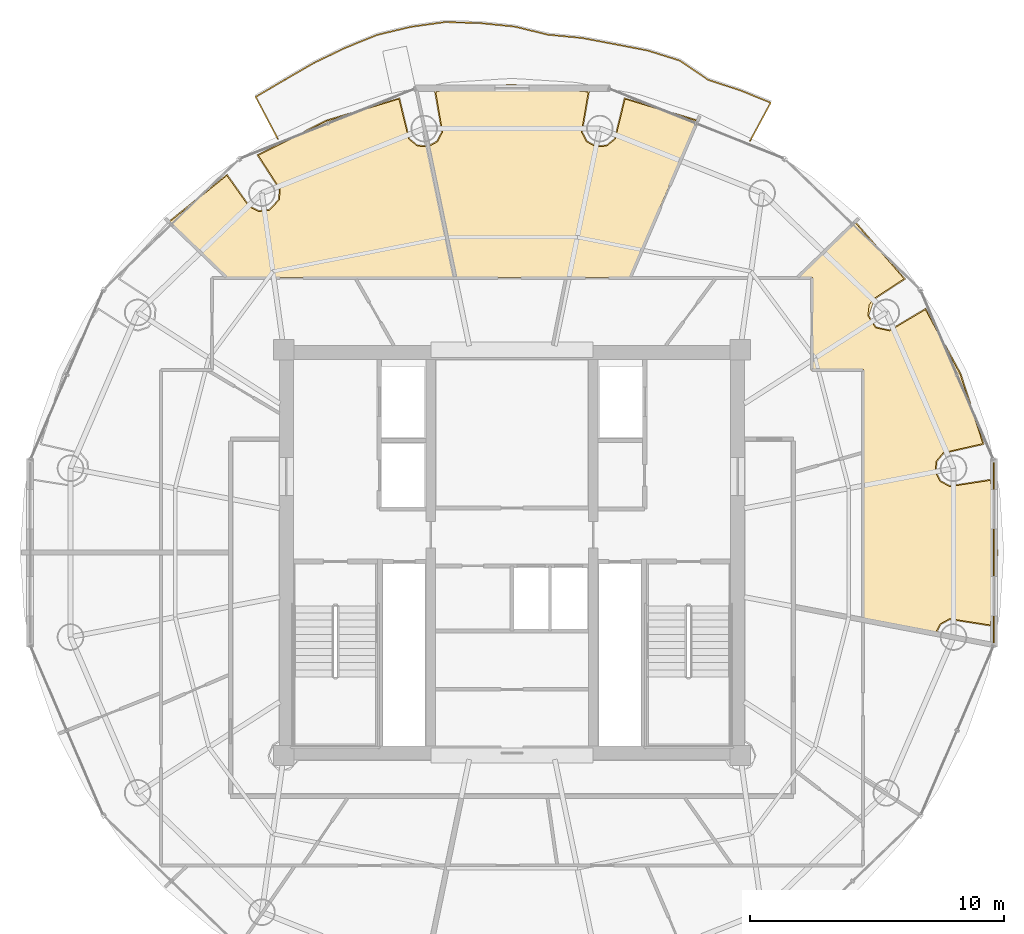
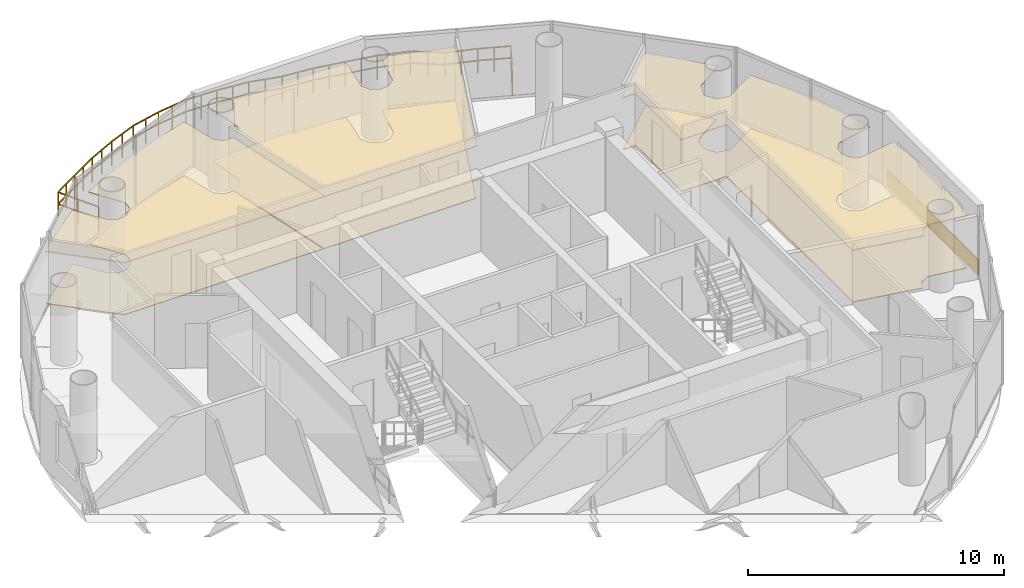
# One storey, part 23 of 23: 7 coverings, 1 railing.
"""IFC4 building model written with IfcOpenShell, lengths in metres."""

from ifc_helpers import new_model, si_unit, direction, frame, origin, origin_2d, place, context, subcontext, project, spatial, polyline, rectangle, outline, extrude, source, transform, mapped, material, layer, layer_set, type_object, element, save


model = new_model("IFC4")

# Units and contexts
model_context = context("Model", 3, precision=1e-05, world=origin(), true_north=direction((-0.2419218956, 0.970295726276)))
body_context = subcontext(model_context, "Body", "Model", "MODEL_VIEW")
ifc_project = project(units=[si_unit("LENGTHUNIT", "METRE"), si_unit("AREAUNIT", "SQUARE_METRE"), si_unit("VOLUMEUNIT", "CUBIC_METRE"), si_unit("PLANEANGLEUNIT", "RADIAN"), si_unit("MASSUNIT", "GRAM", prefix="KILO")], contexts=[model_context])

# Site, building, storey
site_placement = place(None, origin())
site = spatial("IfcSite", under=ifc_project, at=site_placement, CompositionType="ELEMENT")
building_placement = place(site_placement, origin())
building = spatial("IfcBuilding", under=site, at=building_placement, Name="Cobrevalo Terracotta Tower", CompositionType="ELEMENT")
storey_placement = place(building_placement, frame((0.0, 0.0, 259.449951171875)))
storey = spatial("IfcBuildingStorey", under=building, at=storey_placement, Name="L68", CompositionType="ELEMENT", Elevation=259.449951171875)

# Railing
ifc_material_1 = material(Name="Laminated structural glass and stainless steel", Category="steel")
railing_type = type_object("IfcRailingType", Name="Balcony lobe structural glass & terracotta-cap balustrade 1180 mm", PredefinedType="BALUSTRADE", material=ifc_material_1)
railing_placement = place(storey_placement, frame((47.392333984375, 43.04150390625, 0.0)))
element("IfcRailing", 1, at=railing_placement, inside=storey, type_object=railing_type, Name="L68 spiralling balcony lobe balustrade 1", PredefinedType="BALUSTRADE", context=body_context, shape_type="SweptSolid", body=[
    extrude(rectangle(XDim=0.048095703125, YDim=0.048095703125, at=origin_2d()), frame((0.0, 0.0, 1.15576171875), z_axis=(0.473391793007, 0.880851979798, 0.0), x_axis=(-0.880851979798, 0.473391793007, 0.0)), (0.0, 0.0, 1.0), 1.70703125),
    extrude(rectangle(XDim=0.048095703125, YDim=0.048095703125, at=origin_2d()), frame((0.0, 0.0, 0.58984375), z_axis=(0.473391793007, 0.880851979798, 0.0), x_axis=(-0.880851979798, 0.473391793007, 0.0)), (0.0, 0.0, 1.0), 1.70703125),
    extrude(rectangle(XDim=0.048095703125, YDim=0.048095703125, at=origin_2d()), frame((0.80810546875, 1.503662109375, 1.15576171875), z_axis=(-0.927447710254, 0.373952864335, 0.0), x_axis=(-0.373952864335, -0.927447710254, 0.0)), (0.0, 0.0, 1.0), 1.3134765625),
    extrude(rectangle(XDim=0.048095703125, YDim=0.048095703125, at=origin_2d()), frame((0.80810546875, 1.503662109375, 0.58984375), z_axis=(-0.927447710254, 0.373952864335, 0.0), x_axis=(-0.373952864335, -0.927447710254, 0.0)), (0.0, 0.0, 1.0), 1.3134765625),
    extrude(rectangle(XDim=0.048095703125, YDim=0.048095703125, at=origin_2d()), frame((-0.41015625, 1.994873046875, 1.15576171875), z_axis=(-0.950719061288, 0.310053651008, 0.0), x_axis=(-0.310053651008, -0.950719061288, 0.0)), (0.0, 0.0, 1.0), 1.306396484375),
    extrude(rectangle(XDim=0.048095703125, YDim=0.048095703125, at=origin_2d()), frame((-0.41015625, 1.994873046875, 0.58984375), z_axis=(-0.950719061288, 0.310053651008, 0.0), x_axis=(-0.310053651008, -0.950719061288, 0.0)), (0.0, 0.0, 1.0), 1.306396484375),
    extrude(rectangle(XDim=0.048095703125, YDim=0.048095703125, at=origin_2d()), frame((-1.652099609375, 2.39990234375, 1.15576171875), z_axis=(-0.827765122735, 0.561074773612, 0.0), x_axis=(-0.561074773612, -0.827765122735, 0.0)), (0.0, 0.0, 1.0), 1.357666015625),
    extrude(rectangle(XDim=0.048095703125, YDim=0.048095703125, at=origin_2d()), frame((-1.652099609375, 2.39990234375, 0.58984375), z_axis=(-0.827765122735, 0.561074773612, 0.0), x_axis=(-0.561074773612, -0.827765122735, 0.0)), (0.0, 0.0, 1.0), 1.357666015625),
    extrude(rectangle(XDim=0.048095703125, YDim=0.048095703125, at=origin_2d()), frame((-2.77587890625, 3.16162109375, 1.15576171875), z_axis=(-0.954384764987, 0.298579504254, 0.0), x_axis=(-0.298579504254, -0.954384764987, 0.0)), (0.0, 0.0, 1.0), 1.32373046875),
    extrude(rectangle(XDim=0.048095703125, YDim=0.048095703125, at=origin_2d()), frame((-2.77587890625, 3.16162109375, 0.58984375), z_axis=(-0.954384764987, 0.298579504254, 0.0), x_axis=(-0.298579504254, -0.954384764987, 0.0)), (0.0, 0.0, 1.0), 1.32373046875),
    extrude(rectangle(XDim=0.048095703125, YDim=0.048095703125, at=origin_2d()), frame((-4.039306640625, 3.556884765625, 1.15576171875), z_axis=(-0.981703375417, 0.19041660299, 0.0), x_axis=(-0.19041660299, -0.981703375417, 0.0)), (0.0, 0.0, 1.0), 1.326904296875),
    extrude(rectangle(XDim=0.048095703125, YDim=0.048095703125, at=origin_2d()), frame((-4.039306640625, 3.556884765625, 0.58984375), z_axis=(-0.981703375417, 0.19041660299, 0.0), x_axis=(-0.19041660299, -0.981703375417, 0.0)), (0.0, 0.0, 1.0), 1.326904296875),
    extrude(rectangle(XDim=0.048095703125, YDim=0.048095703125, at=origin_2d()), frame((-5.342041015625, 3.8095703125, 1.15576171875), z_axis=(-0.982719795737, 0.185099441024, 0.0), x_axis=(-0.185099441024, -0.982719795737, 0.0)), (0.0, 0.0, 1.0), 1.326904296875),
    extrude(rectangle(XDim=0.048095703125, YDim=0.048095703125, at=origin_2d()), frame((-5.342041015625, 3.8095703125, 0.58984375), z_axis=(-0.982719795737, 0.185099441024, 0.0), x_axis=(-0.185099441024, -0.982719795737, 0.0)), (0.0, 0.0, 1.0), 1.326904296875),
    extrude(rectangle(XDim=0.048095703125, YDim=0.048095703125, at=origin_2d()), frame((-6.64599609375, 4.05517578125, 1.15576171875), z_axis=(-0.995424167177, 0.095554839751, 0.0), x_axis=(-0.095554839751, -0.995424167177, 0.0)), (0.0, 0.0, 1.0), 1.32861328125),
    extrude(rectangle(XDim=0.048095703125, YDim=0.048095703125, at=origin_2d()), frame((-6.64599609375, 4.05517578125, 0.58984375), z_axis=(-0.995424167177, 0.095554839751, 0.0), x_axis=(-0.095554839751, -0.995424167177, 0.0)), (0.0, 0.0, 1.0), 1.32861328125),
    extrude(rectangle(XDim=0.048095703125, YDim=0.048095703125, at=origin_2d()), frame((-7.968505859375, 4.18212890625, 1.15576171875), z_axis=(-0.971965365021, 0.235124071928, 0.0), x_axis=(-0.235124071928, -0.971965365021, 0.0)), (0.0, 0.0, 1.0), 1.365478515625),
    extrude(rectangle(XDim=0.048095703125, YDim=0.048095703125, at=origin_2d()), frame((-7.968505859375, 4.18212890625, 0.58984375), z_axis=(-0.971965365021, 0.235124071928, 0.0), x_axis=(-0.235124071928, -0.971965365021, 0.0)), (0.0, 0.0, 1.0), 1.365478515625),
    extrude(rectangle(XDim=0.048095703125, YDim=0.048095703125, at=origin_2d()), frame((-9.295654296875, 4.503173828125, 1.15576171875), z_axis=(-0.994996258465, 0.099912189646, 0.0), x_axis=(-0.099912189646, -0.994996258465, 0.0)), (0.0, 0.0, 1.0), 1.361083984375),
    extrude(rectangle(XDim=0.048095703125, YDim=0.048095703125, at=origin_2d()), frame((-9.295654296875, 4.503173828125, 0.58984375), z_axis=(-0.994996258465, 0.099912189646, 0.0), x_axis=(-0.099912189646, -0.994996258465, 0.0)), (0.0, 0.0, 1.0), 1.361083984375),
    extrude(rectangle(XDim=0.048095703125, YDim=0.048095703125, at=origin_2d()), frame((-10.64990234375, 4.63916015625, 1.15576171875), z_axis=(-0.999497550392, 0.031696163187, 0.0), x_axis=(-0.031696163187, -0.999497550392, 0.0)), (0.0, 0.0, 1.0), 1.37109375),
    extrude(rectangle(XDim=0.048095703125, YDim=0.048095703125, at=origin_2d()), frame((-10.64990234375, 4.63916015625, 0.58984375), z_axis=(-0.999497550392, 0.031696163187, 0.0), x_axis=(-0.031696163187, -0.999497550392, 0.0)), (0.0, 0.0, 1.0), 1.37109375),
    extrude(rectangle(XDim=0.048095703125, YDim=0.048095703125, at=origin_2d()), frame((-12.020263671875, 4.6826171875, 1.15576171875), z_axis=(-0.990311254165, -0.138865474021, 0.0), x_axis=(0.138865474021, -0.990311254165, 0.0)), (0.0, 0.0, 1.0), 1.3642578125),
    extrude(rectangle(XDim=0.048095703125, YDim=0.048095703125, at=origin_2d()), frame((-12.020263671875, 4.6826171875, 0.58984375), z_axis=(-0.990311254165, -0.138865474021, 0.0), x_axis=(0.138865474021, -0.990311254165, 0.0)), (0.0, 0.0, 1.0), 1.3642578125),
    extrude(rectangle(XDim=0.048095703125, YDim=0.048095703125, at=origin_2d()), frame((-13.371337890625, 4.4931640625, 1.15576171875), z_axis=(-0.972915445397, -0.231161277269, 0.0), x_axis=(0.231161277269, -0.972915445397, 0.0)), (0.0, 0.0, 1.0), 1.365478515625),
    extrude(rectangle(XDim=0.048095703125, YDim=0.048095703125, at=origin_2d()), frame((-13.371337890625, 4.4931640625, 0.58984375), z_axis=(-0.972915445397, -0.231161277269, 0.0), x_axis=(0.231161277269, -0.972915445397, 0.0)), (0.0, 0.0, 1.0), 1.365478515625),
    extrude(rectangle(XDim=0.048095703125, YDim=0.048095703125, at=origin_2d()), frame((-14.699951171875, 4.177490234375, 1.15576171875), z_axis=(-0.926976435531, -0.375119564899, 0.0), x_axis=(0.375119564899, -0.926976435531, 0.0)), (0.0, 0.0, 1.0), 1.36474609375),
    extrude(rectangle(XDim=0.048095703125, YDim=0.048095703125, at=origin_2d()), frame((-14.699951171875, 4.177490234375, 0.58984375), z_axis=(-0.926976435531, -0.375119564899, 0.0), x_axis=(0.375119564899, -0.926976435531, 0.0)), (0.0, 0.0, 1.0), 1.36474609375),
    extrude(rectangle(XDim=0.048095703125, YDim=0.048095703125, at=origin_2d()), frame((-15.965087890625, 3.66552734375, 1.15576171875), z_axis=(-0.901194318303, -0.433415275063, 0.0), x_axis=(0.433415275063, -0.901194318303, 0.0)), (0.0, 0.0, 1.0), 1.35693359375),
    extrude(rectangle(XDim=0.048095703125, YDim=0.048095703125, at=origin_2d()), frame((-15.965087890625, 3.66552734375, 0.58984375), z_axis=(-0.901194318303, -0.433415275063, 0.0), x_axis=(0.433415275063, -0.901194318303, 0.0)), (0.0, 0.0, 1.0), 1.35693359375),
    extrude(rectangle(XDim=0.048095703125, YDim=0.048095703125, at=origin_2d()), frame((-17.18798828125, 3.077392578125, 1.15576171875), z_axis=(-0.866100933825, -0.499869155308, 0.0), x_axis=(0.499869155308, -0.866100933825, 0.0)), (0.0, 0.0, 1.0), 1.344482421875),
    extrude(rectangle(XDim=0.048095703125, YDim=0.048095703125, at=origin_2d()), frame((-17.18798828125, 3.077392578125, 0.58984375), z_axis=(-0.866100933825, -0.499869155308, 0.0), x_axis=(0.499869155308, -0.866100933825, 0.0)), (0.0, 0.0, 1.0), 1.344482421875),
    extrude(rectangle(XDim=0.048095703125, YDim=0.048095703125, at=origin_2d()), frame((-18.3525390625, 2.4052734375, 1.15576171875), z_axis=(-0.861580043035, -0.507621738545, 0.0), x_axis=(0.507621738545, -0.861580043035, 0.0)), (0.0, 0.0, 1.0), 1.329833984375),
    extrude(rectangle(XDim=0.048095703125, YDim=0.048095703125, at=origin_2d()), frame((-18.3525390625, 2.4052734375, 0.58984375), z_axis=(-0.861580043035, -0.507621738545, 0.0), x_axis=(0.507621738545, -0.861580043035, 0.0)), (0.0, 0.0, 1.0), 1.329833984375),
    extrude(rectangle(XDim=0.048095703125, YDim=0.048095703125, at=origin_2d()), frame((-19.498291015625, 1.730224609375, 1.15576171875), z_axis=(0.46554739259, -0.885022951823, 0.0), x_axis=(0.885022951823, 0.46554739259, 0.0)), (0.0, 0.0, 1.0), 1.87060546875),
    extrude(rectangle(XDim=0.048095703125, YDim=0.048095703125, at=origin_2d()), frame((-19.498291015625, 1.730224609375, 0.58984375), z_axis=(0.46554739259, -0.885022951823, 0.0), x_axis=(0.885022951823, 0.46554739259, 0.0)), (0.0, 0.0, 1.0), 1.87060546875),
    extrude(rectangle(XDim=0.0419921875, YDim=0.0419921875, at=origin_2d()), origin(), (0.0, 0.0, 1.0), 1.1318359375),
    extrude(rectangle(XDim=0.0419921875, YDim=0.0419921875, at=origin_2d()), frame((0.404052734375, 0.751953125, 0.0)), (0.0, 0.0, 1.0), 1.1318359375),
    extrude(rectangle(XDim=0.0419921875, YDim=0.0419921875, at=origin_2d()), frame((0.80810546875, 1.503662109375, 0.0)), (0.0, 0.0, 1.0), 1.1318359375),
    extrude(rectangle(XDim=0.0419921875, YDim=0.0419921875, at=origin_2d()), frame((0.198974609375, 1.749267578125, 0.0)), (0.0, 0.0, 1.0), 1.1318359375),
    extrude(rectangle(XDim=0.0419921875, YDim=0.0419921875, at=origin_2d()), frame((-0.41015625, 1.994873046875, 0.0)), (0.0, 0.0, 1.0), 1.1318359375),
    extrude(rectangle(XDim=0.0419921875, YDim=0.0419921875, at=origin_2d()), frame((-1.03125, 2.197265625, 0.0)), (0.0, 0.0, 1.0), 1.1318359375),
    extrude(rectangle(XDim=0.0419921875, YDim=0.0419921875, at=origin_2d()), frame((-1.652099609375, 2.39990234375, 0.0)), (0.0, 0.0, 1.0), 1.1318359375),
    extrude(rectangle(XDim=0.0419921875, YDim=0.0419921875, at=origin_2d()), frame((-2.2138671875, 2.78076171875, 0.0)), (0.0, 0.0, 1.0), 1.1318359375),
    extrude(rectangle(XDim=0.0419921875, YDim=0.0419921875, at=origin_2d()), frame((-2.77587890625, 3.16162109375, 0.0)), (0.0, 0.0, 1.0), 1.1318359375),
    extrude(rectangle(XDim=0.0419921875, YDim=0.0419921875, at=origin_2d()), frame((-3.40771484375, 3.359375, 0.0)), (0.0, 0.0, 1.0), 1.1318359375),
    extrude(rectangle(XDim=0.0419921875, YDim=0.0419921875, at=origin_2d()), frame((-4.039306640625, 3.556884765625, 0.0)), (0.0, 0.0, 1.0), 1.1318359375),
    extrude(rectangle(XDim=0.0419921875, YDim=0.0419921875, at=origin_2d()), frame((-4.690673828125, 3.68310546875, 0.0)), (0.0, 0.0, 1.0), 1.1318359375),
    extrude(rectangle(XDim=0.0419921875, YDim=0.0419921875, at=origin_2d()), frame((-5.342041015625, 3.8095703125, 0.0)), (0.0, 0.0, 1.0), 1.1318359375),
    extrude(rectangle(XDim=0.0419921875, YDim=0.0419921875, at=origin_2d()), frame((-5.994140625, 3.932373046875, 0.0)), (0.0, 0.0, 1.0), 1.1318359375),
    extrude(rectangle(XDim=0.0419921875, YDim=0.0419921875, at=origin_2d()), frame((-6.64599609375, 4.05517578125, 0.0)), (0.0, 0.0, 1.0), 1.1318359375),
    extrude(rectangle(XDim=0.0419921875, YDim=0.0419921875, at=origin_2d()), frame((-7.30712890625, 4.11865234375, 0.0)), (0.0, 0.0, 1.0), 1.1318359375),
    extrude(rectangle(XDim=0.0419921875, YDim=0.0419921875, at=origin_2d()), frame((-7.968505859375, 4.18212890625, 0.0)), (0.0, 0.0, 1.0), 1.1318359375),
    extrude(rectangle(XDim=0.0419921875, YDim=0.0419921875, at=origin_2d()), frame((-8.632080078125, 4.3427734375, 0.0)), (0.0, 0.0, 1.0), 1.1318359375),
    extrude(rectangle(XDim=0.0419921875, YDim=0.0419921875, at=origin_2d()), frame((-9.295654296875, 4.503173828125, 0.0)), (0.0, 0.0, 1.0), 1.1318359375),
    extrude(rectangle(XDim=0.0419921875, YDim=0.0419921875, at=origin_2d()), frame((-9.97265625, 4.5712890625, 0.0)), (0.0, 0.0, 1.0), 1.1318359375),
    extrude(rectangle(XDim=0.0419921875, YDim=0.0419921875, at=origin_2d()), frame((-10.64990234375, 4.63916015625, 0.0)), (0.0, 0.0, 1.0), 1.1318359375),
    extrude(rectangle(XDim=0.0419921875, YDim=0.0419921875, at=origin_2d()), frame((-11.3349609375, 4.660888671875, 0.0)), (0.0, 0.0, 1.0), 1.1318359375),
    extrude(rectangle(XDim=0.0419921875, YDim=0.0419921875, at=origin_2d()), frame((-12.020263671875, 4.6826171875, 0.0)), (0.0, 0.0, 1.0), 1.1318359375),
    extrude(rectangle(XDim=0.0419921875, YDim=0.0419921875, at=origin_2d()), frame((-12.69580078125, 4.587890625, 0.0)), (0.0, 0.0, 1.0), 1.1318359375),
    extrude(rectangle(XDim=0.0419921875, YDim=0.0419921875, at=origin_2d()), frame((-13.371337890625, 4.4931640625, 0.0)), (0.0, 0.0, 1.0), 1.1318359375),
    extrude(rectangle(XDim=0.0419921875, YDim=0.0419921875, at=origin_2d()), frame((-14.03564453125, 4.33544921875, 0.0)), (0.0, 0.0, 1.0), 1.1318359375),
    extrude(rectangle(XDim=0.0419921875, YDim=0.0419921875, at=origin_2d()), frame((-14.699951171875, 4.177490234375, 0.0)), (0.0, 0.0, 1.0), 1.1318359375),
    extrude(rectangle(XDim=0.0419921875, YDim=0.0419921875, at=origin_2d()), frame((-15.33251953125, 3.92138671875, 0.0)), (0.0, 0.0, 1.0), 1.1318359375),
    extrude(rectangle(XDim=0.0419921875, YDim=0.0419921875, at=origin_2d()), frame((-15.965087890625, 3.66552734375, 0.0)), (0.0, 0.0, 1.0), 1.1318359375),
    extrude(rectangle(XDim=0.0419921875, YDim=0.0419921875, at=origin_2d()), frame((-16.57666015625, 3.37158203125, 0.0)), (0.0, 0.0, 1.0), 1.1318359375),
    extrude(rectangle(XDim=0.0419921875, YDim=0.0419921875, at=origin_2d()), frame((-17.18798828125, 3.077392578125, 0.0)), (0.0, 0.0, 1.0), 1.1318359375),
    extrude(rectangle(XDim=0.0419921875, YDim=0.0419921875, at=origin_2d()), frame((-17.770263671875, 2.7412109375, 0.0)), (0.0, 0.0, 1.0), 1.1318359375),
    extrude(rectangle(XDim=0.0419921875, YDim=0.0419921875, at=origin_2d()), frame((-18.3525390625, 2.4052734375, 0.0)), (0.0, 0.0, 1.0), 1.1318359375),
    extrude(rectangle(XDim=0.0419921875, YDim=0.0419921875, at=origin_2d()), frame((-18.92529296875, 2.06787109375, 0.0)), (0.0, 0.0, 1.0), 1.1318359375),
    extrude(rectangle(XDim=0.0419921875, YDim=0.0419921875, at=origin_2d()), frame((-19.498291015625, 1.730224609375, 0.0)), (0.0, 0.0, 1.0), 1.1318359375),
    extrude(rectangle(XDim=0.0419921875, YDim=0.0419921875, at=origin_2d()), frame((-19.06298828125, 0.90234375, 0.0)), (0.0, 0.0, 1.0), 1.1318359375),
    extrude(rectangle(XDim=0.0419921875, YDim=0.0419921875, at=origin_2d()), frame((-18.62744140625, 0.07470703125, 0.0)), (0.0, 0.0, 1.0), 1.1318359375),
])

# Coverings
ifc_material_2 = material(Name="Engineered Brazilian hardwood flooring", Category="wood")
ifc_layer_1 = layer(ifc_material_2, 0.028076171875)
ifc_layer_set_1 = layer_set([ifc_layer_1], Name="Engineered Brazilian hardwood flooring")
covering_type_1 = type_object("IfcCoveringType", Name="Engineered Hardwood Suite Flooring 28", PredefinedType="FLOORING", material=ifc_layer_set_1)
covering_1_placement = place(storey_placement, origin())
element("IfcCovering", 2, at=covering_1_placement, inside=storey, type_object=covering_type_1, Name="Flat L68A Living and Dining Room floor finish", PredefinedType="FLOORING", context=body_context, shape_type="SweptSolid", body=[
    extrude(outline(polyline([(51.52978515625, 39.81396484375), (53.4560546875, 37.599365234375), (52.2451171875, 36.805419921875), (52.080078125, 36.568359375), (52.0302734375, 36.1416015625), (52.336181640625, 35.664794921875), (52.8896484375, 35.5439453125), (54.300048828125, 36.382568359375), (55.66455078125, 33.848876953125), (56.56494140625, 31.1005859375), (55.00244140625, 30.74462890625), (54.727294921875, 30.41455078125), (54.681884765625, 29.9873046875), (54.881591796875, 29.60693359375), (55.259033203125, 29.401611328125), (56.8642578125, 29.65087890625), (57.119873046875, 26.800048828125), (56.8642578125, 23.948974609375), (55.259033203125, 24.198486328125), (54.881591796875, 23.9931640625), (54.6845703125, 23.621337890625), (51.85498046875, 24.163818359375), (51.85498046875, 34.030029296875), (49.844970703125, 34.030029296875), (49.844970703125, 37.64501953125), (49.27978515625, 37.64501953125), (51.52978515625, 39.81396484375)])), origin(), (0.0, 0.0, 1.0), 0.030029296875),
])
covering_2_placement = place(storey_placement, origin())
element("IfcCovering", 3, at=covering_2_placement, inside=storey, type_object=covering_type_1, Name="Flat L68A Penthouse Family Lounge floor finish", PredefinedType="FLOORING", context=body_context, shape_type="SweptSolid", body=[
    extrude(outline(polyline([(34.71728515625, 42.80712890625), (35.064453125, 43.003173828125), (35.26416015625, 43.3837890625), (34.994140625, 44.964599609375), (35.504150390625, 45.062255859375), (38.0, 45.219970703125), (41.005859375, 44.964599609375), (40.73583984375, 43.3837890625), (40.935546875, 43.003173828125), (41.312744140625, 42.797607421875), (41.74072265625, 42.83642578125), (42.074951171875, 43.1064453125), (42.45947265625, 44.68603515625), (45.294189453125, 43.8251953125), (42.638427734375, 37.64501953125), (35.782470703125, 37.64501953125), (34.71728515625, 42.80712890625)])), origin(), (0.0, 0.0, 1.0), 0.030029296875),
])
covering_3_placement = place(storey_placement, origin())
element("IfcCovering", 4, at=covering_3_placement, inside=storey, type_object=covering_type_1, Name="Flat L68A Principal Guest Bedroom floor finish", PredefinedType="FLOORING", context=body_context, shape_type="SweptSolid", body=[
    extrude(outline(polyline([(24.49951171875, 39.841064453125), (26.756103515625, 41.668212890625), (27.625244140625, 40.443603515625), (28.0078125, 40.248046875), (28.4345703125, 40.29833984375), (28.82763671875, 40.706298828125), (28.861572265625, 41.134521484375), (28.00146484375, 42.4697265625), (30.682861328125, 43.817626953125), (33.54052734375, 44.68603515625), (33.925048828125, 43.1064453125), (34.25927734375, 42.83642578125), (34.678466796875, 42.796630859375), (35.74169921875, 37.64501953125), (26.77783203125, 37.64501953125), (24.49951171875, 39.841064453125)])), origin(), (0.0, 0.0, 1.0), 0.030029296875),
])
ifc_material_3 = material(Name="Acoustic perforated gypsum ceiling", Category="gypsum")
ifc_layer_2 = layer(ifc_material_3, 0.050048828125)
ifc_layer_set_2 = layer_set([ifc_layer_2], Name="Acoustic perforated gypsum ceiling")
covering_type_2 = type_object("IfcCoveringType", Name="Perforated Acoustic Gypsum Ceiling 50", PredefinedType="CEILING", material=ifc_layer_set_2)
covering_4_placement = place(storey_placement, frame((0.0, 0.0, 2.5)))
element("IfcCovering", 5, at=covering_4_placement, inside=storey, type_object=covering_type_2, Name="Flat L68A Living and Dining Room acoustic ceiling", PredefinedType="CEILING", context=body_context, shape_type="SweptSolid", body=[
    extrude(outline(polyline([(51.531982421875, 39.87841796875), (53.51953125, 37.586669921875), (52.2763671875, 36.772705078125), (52.07470703125, 36.1494140625), (52.362060546875, 35.701904296875), (52.881591796875, 35.588623046875), (54.312255859375, 36.44384765625), (55.7060546875, 33.86669921875), (56.6181640625, 31.06494140625), (55.02734375, 30.70703125), (54.76904296875, 30.39697265625), (54.726318359375, 29.995849609375), (54.913818359375, 29.638671875), (55.268310546875, 29.44580078125), (56.899169921875, 29.703369140625), (57.1650390625, 26.800048828125), (56.899169921875, 23.896484375), (55.268310546875, 24.154296875), (54.913818359375, 23.96142578125), (54.716064453125, 23.569580078125), (51.81005859375, 24.126708984375), (51.81005859375, 33.985107421875), (49.800048828125, 33.985107421875), (49.800048828125, 37.60009765625), (49.168212890625, 37.60009765625), (51.531982421875, 39.87841796875)])), origin(), (0.0, 0.0, 1.0), 0.050048828125),
])
covering_5_placement = place(storey_placement, frame((0.0, 0.0, 2.5)))
element("IfcCovering", 6, at=covering_5_placement, inside=storey, type_object=covering_type_2, Name="Flat L68A Penthouse Family Lounge acoustic ceiling", PredefinedType="CEILING", context=body_context, shape_type="SweptSolid", body=[
    extrude(outline(polyline([(34.6650390625, 42.837890625), (35.0322265625, 43.034912109375), (35.2197265625, 43.39208984375), (34.94091796875, 45.000244140625), (35.49853515625, 45.107177734375), (38.0, 45.26513671875), (41.05908203125, 45.000244140625), (40.7802734375, 43.39208984375), (40.9677734375, 43.034912109375), (41.322021484375, 42.842041015625), (41.7236328125, 42.87841796875), (42.03759765625, 43.1318359375), (42.424560546875, 44.738525390625), (45.35498046875, 43.852783203125), (42.668212890625, 37.60009765625), (35.745849609375, 37.60009765625), (34.6650390625, 42.837890625)])), origin(), (0.0, 0.0, 1.0), 0.050048828125),
])
covering_6_placement = place(storey_placement, frame((0.0, 0.0, 2.5)))
element("IfcCovering", 7, at=covering_6_placement, inside=storey, type_object=covering_type_2, Name="Flat L68A Principal Guest Bedroom acoustic ceiling", PredefinedType="CEILING", context=body_context, shape_type="SweptSolid", body=[
    extrude(outline(polyline([(24.432373046875, 39.84326171875), (26.768310546875, 41.7294921875), (27.656494140625, 40.47607421875), (28.015869140625, 40.292724609375), (28.41650390625, 40.339599609375), (28.785400390625, 40.72265625), (28.8173828125, 41.124755859375), (27.937744140625, 42.482421875), (30.666259765625, 43.859619140625), (33.575439453125, 44.738525390625), (33.96240234375, 43.1318359375), (34.2763671875, 42.87841796875), (34.71435546875, 42.845703125), (35.796875, 37.60009765625), (26.759765625, 37.60009765625), (24.432373046875, 39.84326171875)])), origin(), (0.0, 0.0, 1.0), 0.050048828125),
])
ifc_material_4 = material(Name="Glazed terracotta facade cladding tile", Category="masonry")
ifc_layer_3 = layer(ifc_material_4, 0.044921875)
ifc_layer_set_3 = layer_set([ifc_layer_3], Name="Glazed terracotta facade cladding tile")
covering_type_3 = type_object("IfcCoveringType", Name="Architectural terracotta rainscreen spandrel cladding 45 mm", PredefinedType="CLADDING", material=ifc_layer_set_3)
shared_shape = source(origin(), body_context, "Body", "SweptSolid", [
    extrude(rectangle(XDim=7.084716796875, YDim=0.044921875, at=origin_2d()), origin(), (0.0, 0.0, 1.0), 0.760009765625),
])
covering_7_placement = place(storey_placement, frame((56.997802734375, 26.800048828125, 0.0400390625), z_axis=(0.0, 0.0, 1.0), x_axis=(0.0, 1.0, 0.0)))
element("IfcCovering", 8, at=covering_7_placement, inside=storey, type_object=covering_type_3, Name="L68 terracotta spandrel cladding S16", PredefinedType="CLADDING", context=body_context, shape_type="MappedRepresentation", body=[
    mapped(shared_shape, transform((0.0, 0.0, 0.0), scale=1.0)),
])

save(model, "model.ifc")
